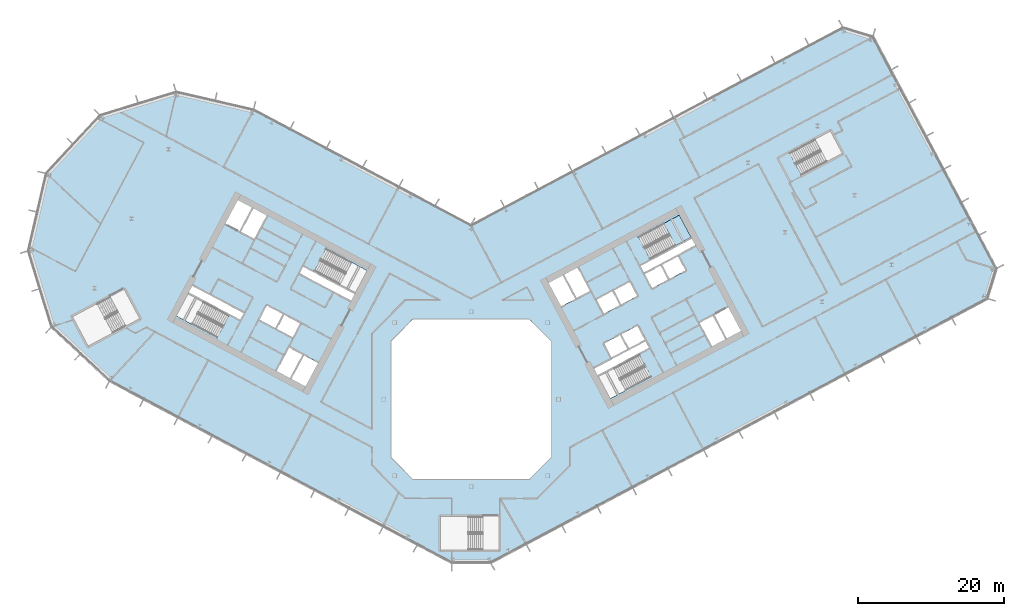
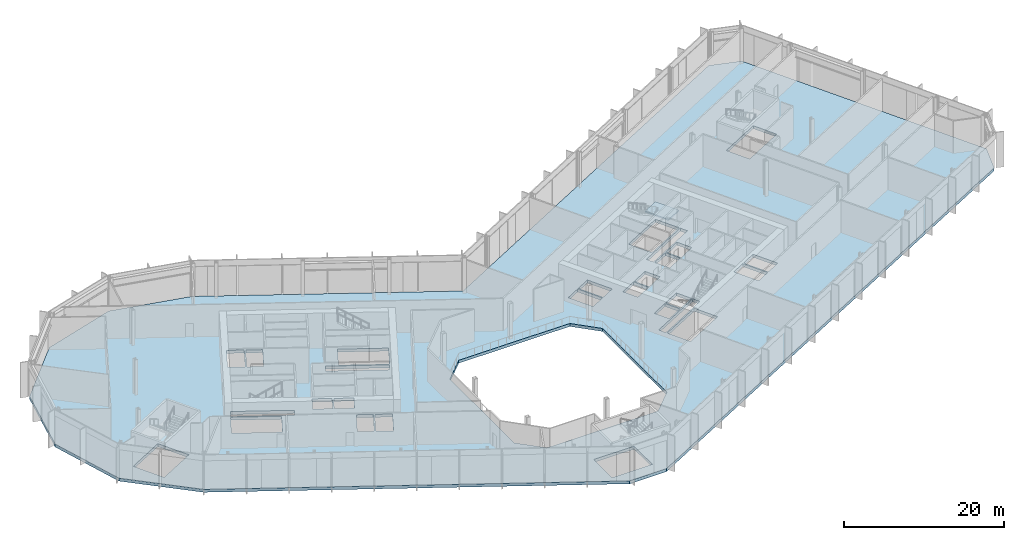
# One storey, part 10 of 32: 2 slabs, 1 element without a shape of its own.
"""IFC4 building model written with IfcOpenShell, lengths in metres."""

from ifc_helpers import new_model, si_unit, direction, frame, origin, place, context, subcontext, project, spatial, polyline, outline, extrude, material, layer, layer_set, type_object, element, aggregate, save


model = new_model("IFC4")

# Units and contexts
model_context = context("Model", 3, precision=1e-05, world=origin(), true_north=direction((0.0, 1.0)))
body_context = subcontext(model_context, "Body", "Model", "MODEL_VIEW")
ifc_project = project(units=[si_unit("LENGTHUNIT", "METRE"), si_unit("AREAUNIT", "SQUARE_METRE"), si_unit("VOLUMEUNIT", "CUBIC_METRE"), si_unit("PLANEANGLEUNIT", "RADIAN"), si_unit("MASSUNIT", "GRAM", prefix="KILO")], contexts=[model_context])

# Site, building, storey
site_placement = place(None, origin())
site = spatial("IfcSite", under=ifc_project, at=site_placement, CompositionType="ELEMENT")
building_placement = place(site_placement, origin())
building = spatial("IfcBuilding", under=site, at=building_placement, Name="Cormorant Relay Tower", CompositionType="ELEMENT")
storey_placement = place(building_placement, frame((0.0, 0.0, 28.39990234375)))
storey = spatial("IfcBuildingStorey", under=building, at=storey_placement, Name="L05", CompositionType="ELEMENT", Elevation=28.39990234375)

# Stair, slab
ifc_material_1 = material(Name="Concrete 40 MPa", Category="concrete")
stair_type = type_object("IfcStairType", Name="Exit stair 1500", PredefinedType="HALF_TURN_STAIR", material=ifc_material_1)
stair_placement = place(storey_placement, origin())
stair = element("IfcStair", 1, at=stair_placement, inside=storey, type_object=stair_type, Name="L05 Stair", PredefinedType="HALF_TURN_STAIR")
ifc_material_2 = material(Name="Concrete 40 MPa", Category="concrete")
ifc_layer_1 = layer(ifc_material_2, 0.199951171875)
ifc_layer_set_1 = layer_set([ifc_layer_1], Name="Exit stair landing 200")
slab_type_1 = type_object("IfcSlabType", Name="Exit stair landing 200", PredefinedType="LANDING", material=ifc_layer_set_1)
slab_1_placement = place(storey_placement, frame((0.0, 0.0, 2.5)))
slab_1 = element("IfcSlab", 2, at=slab_1_placement, type_object=slab_type_1, Name="B2 landing 1", PredefinedType="LANDING", context=body_context, shape_type="SweptSolid", body=[
    extrude(outline(polyline([(28.05322265625, 21.088623046875), (30.19873046875, 22.2294921875), (28.5791015625, 25.275634765625), (26.43359375, 24.134765625), (28.05322265625, 21.088623046875)])), origin(), (0.0, 0.0, 1.0), 0.2001953125),
])
aggregate(stair, [slab_1])

# Slab
ifc_material_3 = material(Name="Concrete 40 MPa", Category="concrete")
ifc_layer_2 = layer(ifc_material_3, 0.449951171875)
ifc_layer_set_2 = layer_set([ifc_layer_2], Name="Flat plate 450")
slab_type_2 = type_object("IfcSlabType", Name="Flat plate 450", PredefinedType="FLOOR", material=ifc_layer_set_2)
slab_2_placement = place(storey_placement, frame((0.0, 0.0, -0.449951171875)))
element("IfcSlab", 3, at=slab_2_placement, inside=storey, type_object=slab_type_2, Name="Floor slab L05", PredefinedType="FLOOR", context=body_context, shape_type="SweptSolid", body=[
    extrude(outline(polyline([(-60.7197265625, 20.393310546875), (-58.2744140625, 30.985107421875), (-50.86083984375, 38.935302734375), (-40.465576171875, 42.11328125), (-29.873779296875, 39.668212890625), (0.0, 23.783935546875), (51.064453125, 50.935302734375), (55.12158203125, 49.695068359375), (72.022705078125, 17.908935546875), (70.7822265625, 13.8515625), (2.648681640625, -22.37548828125), (-2.648681640625, -22.37548828125), (-49.591552734375, 2.584228515625), (-57.541748046875, 9.997802734375), (-60.7197265625, 20.393310546875)]), holes=[polyline([(11.0, -8.0), (11.0, 8.0), (8.0, 11.0), (-8.0, 11.0), (-11.0, 8.0), (-11.0, -8.0), (-8.0, -11.0), (8.0, -11.0), (11.0, -8.0)]), polyline([(-4.199951171875, -16.125), (-4.199951171875, -20.675048828125), (1.60009765625, -20.675048828125), (1.60009765625, -16.125), (-4.199951171875, -16.125)]), polyline([(-22.95458984375, 6.03271484375), (-24.668212890625, 2.81005859375), (-22.725830078125, 1.777099609375), (-21.01220703125, 5.0), (-23.04296875, 6.07958984375), (-22.95458984375, 6.03271484375)]), polyline([(-24.985595703125, 7.112548828125), (-26.69921875, 3.889892578125), (-24.844970703125, 2.90380859375), (-23.13134765625, 6.126708984375), (-23.04296875, 6.07958984375), (-24.985595703125, 7.112548828125)]), polyline([(-26.688720703125, 9.660400390625), (-24.481201171875, 8.48681640625), (-23.448486328125, 10.42919921875), (-25.656005859375, 11.602783203125), (-26.688720703125, 9.660400390625)]), polyline([(-49.57861328125, 14.0537109375), (-54.69970703125, 11.330810546875), (-52.563720703125, 7.3134765625), (-47.442626953125, 10.036376953125), (-49.57861328125, 14.0537109375)]), polyline([(-28.039794921875, 12.870361328125), (-29.07275390625, 10.927978515625), (-26.865234375, 9.75439453125), (-25.83251953125, 11.69677734375), (-28.039794921875, 12.870361328125)]), polyline([(-38.847900390625, 14.483154296875), (-40.46728515625, 11.43701171875), (-34.860595703125, 8.455810546875), (-33.240966796875, 11.502197265625), (-38.847900390625, 14.483154296875)]), polyline([(-38.260986328125, 15.5869140625), (-38.75390625, 14.659912109375), (-31.690185546875, 10.904052734375), (-31.197265625, 11.8310546875), (-38.260986328125, 15.5869140625)]), polyline([(14.3056640625, 13.779052734375), (12.592041015625, 17.001708984375), (10.649658203125, 15.968994140625), (12.36328125, 12.74609375), (14.39404296875, 13.825927734375), (14.3056640625, 13.779052734375)]), polyline([(16.33642578125, 14.85888671875), (14.622802734375, 18.08154296875), (12.768798828125, 17.095703125), (14.482421875, 13.872802734375), (14.39404296875, 13.825927734375), (16.33642578125, 14.85888671875)]), polyline([(-16.481689453125, 13.520263671875), (-15.989013671875, 14.447509765625), (-23.052490234375, 18.203125), (-23.54541015625, 17.276123046875), (-16.481689453125, 13.520263671875)]), polyline([(-21.501708984375, 17.605224609375), (-15.89501953125, 14.6240234375), (-14.275390625, 17.670166015625), (-19.882080078125, 20.6513671875), (-21.501708984375, 17.605224609375)]), polyline([(-31.611572265625, 22.980712890625), (-29.75732421875, 21.99462890625), (-28.043701171875, 25.217529296875), (-29.89794921875, 26.203369140625), (-31.611572265625, 22.980712890625)]), polyline([(-33.73046875, 24.107421875), (-31.7880859375, 23.074462890625), (-30.074462890625, 26.29736328125), (-32.01708984375, 27.330078125), (-33.73046875, 24.107421875)]), polyline([(23.087158203125, 6.10302734375), (17.48046875, 3.1220703125), (19.10009765625, 0.07568359375), (24.706787109375, 3.056884765625), (23.087158203125, 6.10302734375)]), polyline([(16.8935546875, 4.2255859375), (17.386474609375, 3.298583984375), (24.4501953125, 7.054443359375), (23.957275390625, 7.9814453125), (16.8935546875, 4.2255859375)]), polyline([(20.446533203125, 8.8330078125), (18.239013671875, 7.6591796875), (19.27197265625, 5.716796875), (21.479248046875, 6.890380859375), (20.446533203125, 8.8330078125)]), polyline([(22.830322265625, 10.1005859375), (20.623046875, 8.927001953125), (21.656005859375, 6.984375), (23.86328125, 8.158203125), (22.830322265625, 10.1005859375)]), polyline([(33.197021484375, 11.478515625), (31.3427734375, 10.49267578125), (33.056396484375, 7.27001953125), (34.910400390625, 8.255859375), (33.197021484375, 11.478515625)]), polyline([(33.37353515625, 11.572509765625), (35.087158203125, 8.349609375), (37.029541015625, 9.382568359375), (35.31591796875, 12.605224609375), (33.37353515625, 11.572509765625)]), polyline([(19.401123046875, 14.84619140625), (17.19384765625, 13.67236328125), (18.2265625, 11.72998046875), (20.43408203125, 12.903564453125), (19.401123046875, 14.84619140625)]), polyline([(22.81787109375, 14.171142578125), (21.78515625, 16.113525390625), (19.57763671875, 14.93994140625), (20.610595703125, 12.99755859375), (22.81787109375, 14.171142578125)]), polyline([(26.023193359375, 18.3671875), (23.81591796875, 17.193359375), (24.8486328125, 15.2509765625), (27.05615234375, 16.424560546875), (26.023193359375, 18.3671875)]), polyline([(29.440185546875, 17.692138671875), (28.4072265625, 19.634765625), (26.19970703125, 18.4609375), (27.232666015625, 16.5185546875), (29.440185546875, 17.692138671875)]), polyline([(30.78564453125, 21.125732421875), (30.29248046875, 22.052978515625), (23.22900390625, 18.297119140625), (23.721923828125, 17.3701171875), (30.78564453125, 21.125732421875)]), polyline([(24.592041015625, 19.248291015625), (30.19873046875, 22.2294921875), (28.5791015625, 25.275634765625), (22.972412109375, 22.29443359375), (24.592041015625, 19.248291015625)]), polyline([(45.3349609375, 30.773681640625), (50.941650390625, 33.7548828125), (49.322021484375, 36.801025390625), (43.715087890625, 33.81982421875), (45.3349609375, 30.773681640625)])]), origin(), (0.0, 0.0, 1.0), 0.449951171875),
])

save(model, "model.ifc")
